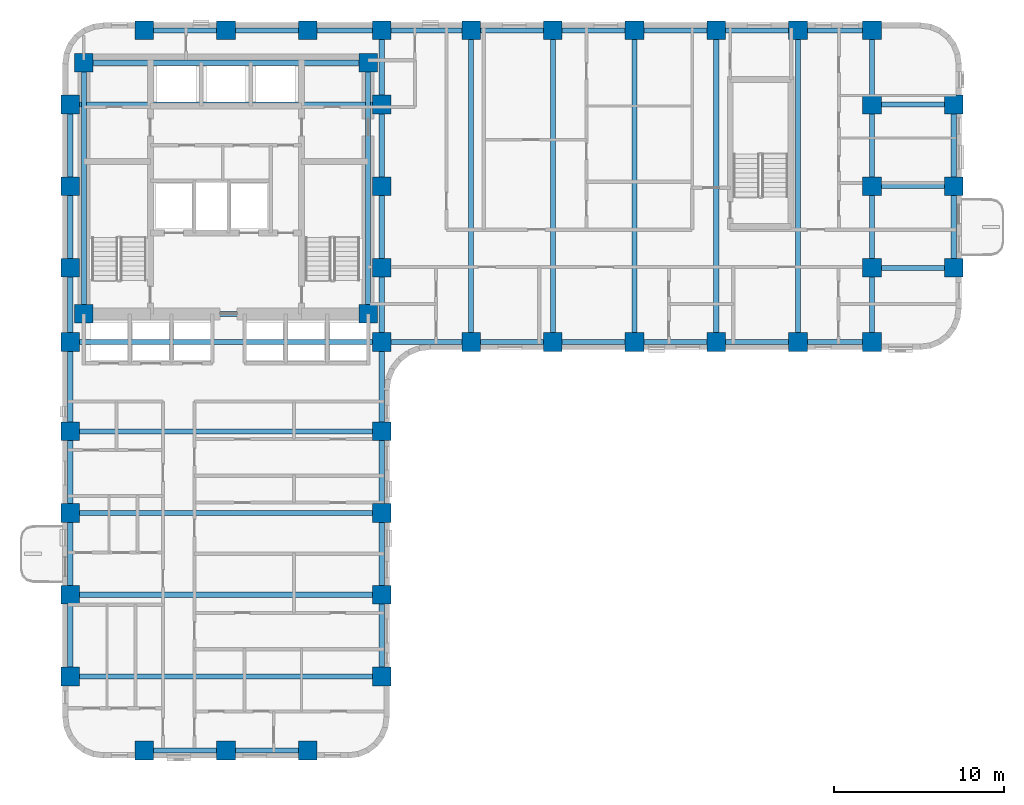
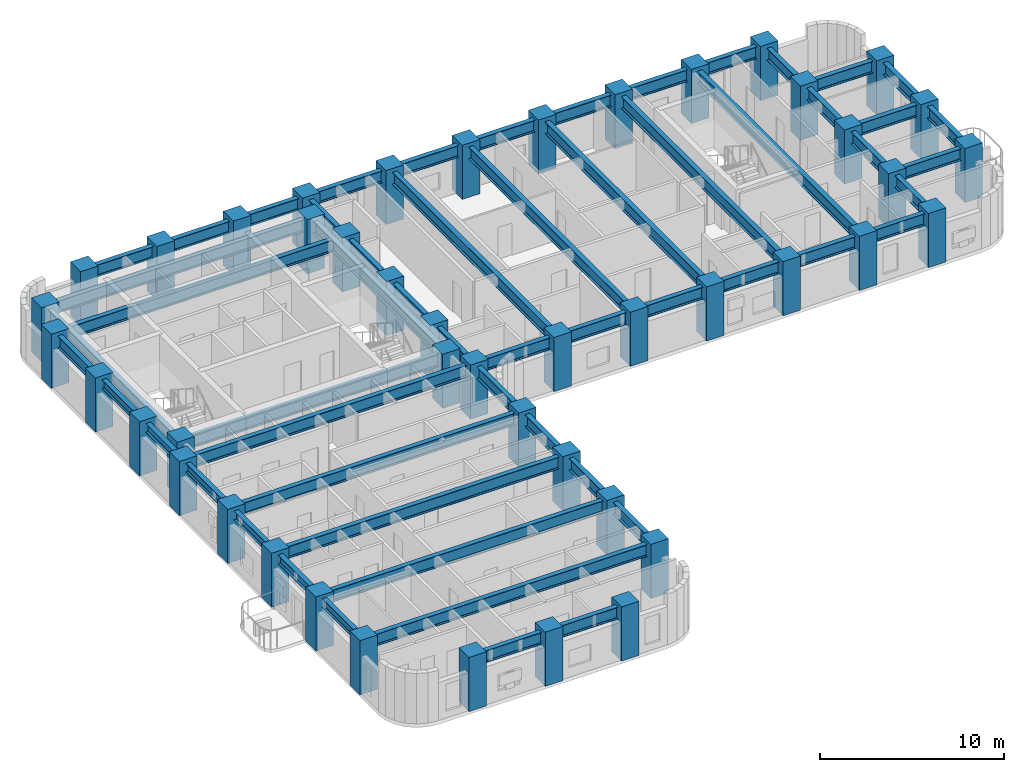
# One storey, part 1 of 12: 56 beams, 45 columns.
"""IFC4 building model written with IfcOpenShell, lengths in metres."""

import ifcopenshell
import ifcopenshell.guid

model = None  # the IFC model being written
_history = None  # IfcOwnerHistory: only IFC2X3 demands one
_inside = {}  # id of a spatial element -> (the spatial element, [elements in it])
_under = {}  # id of a project, library or spatial element -> (it, [spatial elements below it])
_declared = {}  # id of a project -> (the project, [libraries it declares])
_typed = {}  # id of a type object -> (the type object, [elements of that type])
_made_of = {}  # id of a material, layer set ... -> (it, [elements and type objects made of it])


def new_model(schema):
    """Start an empty IFC model of exactly this schema.

    Asked for "IFC4X3", IfcOpenShell would pick the latest addendum, in which some entities
    have other attributes; the version numbers below select the first issue.
    IFC2X3 requires an IfcOwnerHistory on every rooted entity: one is made here for all.
    """
    global model, _history
    if schema == "IFC4X3":
        model = ifcopenshell.file(schema_version=(4, 3, 0, 0))
    else:
        model = ifcopenshell.file(schema=schema)
    _inside.clear()
    _under.clear()
    _declared.clear()
    _typed.clear()
    _made_of.clear()
    _history = None
    if model.schema == "IFC2X3":
        org = make("IfcOrganization", Name="unknown")
        user = make(
            "IfcPersonAndOrganization",
            ThePerson=make("IfcPerson", FamilyName="unknown"),
            TheOrganization=org,
        )
        app = make(
            "IfcApplication",
            ApplicationDeveloper=org,
            Version="unknown",
            ApplicationFullName="unknown",
            ApplicationIdentifier="unknown",
        )
        _history = make(
            "IfcOwnerHistory",
            OwningUser=user,
            OwningApplication=app,
            ChangeAction="ADDED",
            CreationDate=0,
        )
    return model


def make(cls, **values):
    """One entity of the class cls with the attributes given. An attribute that is None is left unset."""
    return model.create_entity(
        cls, **{name: value for name, value in values.items() if value is not None}
    )


def rooted(cls, **values):
    """An entity with a GlobalId (a new one), such as an element, a storey or a relation."""
    return make(cls, GlobalId=ifcopenshell.guid.new(), OwnerHistory=_history, **values)


def si_unit(unit_type, name, prefix=None):
    """IfcSIUnit, for example si_unit("LENGTHUNIT", "METRE", prefix="MILLI")."""
    return make("IfcSIUnit", UnitType=unit_type, Prefix=prefix, Name=name)


def assignment(units):
    """IfcUnitAssignment: the units of a project."""
    return None if units is None else make("IfcUnitAssignment", Units=units)


def point(xyz):
    """IfcCartesianPoint."""
    return None if xyz is None else make("IfcCartesianPoint", Coordinates=xyz)


def direction(xyz):
    """IfcDirection."""
    return None if xyz is None else make("IfcDirection", DirectionRatios=xyz)


def frame(location, z_axis=None, x_axis=None):
    """IfcAxis2Placement3D, a coordinate frame: its origin and axes. An axis left out is left unset."""
    return make(
        "IfcAxis2Placement3D",
        Location=point(location),
        Axis=direction(z_axis),
        RefDirection=direction(x_axis),
    )


def frame_2d(location, x_axis=None):
    """IfcAxis2Placement2D, a coordinate frame in the plane: its origin and x axis."""
    return make(
        "IfcAxis2Placement2D", Location=point(location), RefDirection=direction(x_axis)
    )


def origin():
    """The frame at (0, 0, 0) with its axes left unset."""
    return frame((0.0, 0.0, 0.0))


def origin_2d():
    """The frame at (0, 0) in the plane with its x axis left unset."""
    return frame_2d((0.0, 0.0))


def place(relative_to, where):
    """IfcLocalPlacement: puts the frame where relative to a parent placement (None: the world)."""
    return make(
        "IfcLocalPlacement", PlacementRelTo=relative_to, RelativePlacement=where
    )


def context(
    kind, dimensions, precision=None, world=None, true_north=None, identifier=None
):
    """IfcGeometricRepresentationContext, for example the 3D "Model" context."""
    return make(
        "IfcGeometricRepresentationContext",
        ContextIdentifier=identifier,
        ContextType=kind,
        CoordinateSpaceDimension=dimensions,
        Precision=precision,
        WorldCoordinateSystem=world,
        TrueNorth=true_north,
    )


def subcontext(parent, identifier, kind, view, scale=None):
    """IfcGeometricRepresentationSubContext, for example "Body" below "Model"."""
    return make(
        "IfcGeometricRepresentationSubContext",
        ContextIdentifier=identifier,
        ContextType=kind,
        ParentContext=parent,
        TargetScale=scale,
        TargetView=view,
    )


def project(units=None, contexts=None):
    """IfcProject with its units and contexts."""
    return rooted(
        "IfcProject",
        Name="project",
        RepresentationContexts=contexts,
        UnitsInContext=assignment(units),
    )


def spatial(cls, under=None, at=None, **own):
    """A site, building, storey or space (cls), placed at a placement, below another one or the project."""
    s = rooted(cls, ObjectPlacement=at, **own)
    if under is not None:
        _under.setdefault(under.id(), (under, []))[1].append(s)
    return s


def profile(cls, at=None, kind="AREA", **sizes):
    """A parametric profile (cls). Its sizes go by their IFC names, for example OverallWidth=200.0."""
    return make(cls, ProfileType=kind, Position=at, **sizes)


def rectangle(**sizes):
    """IfcRectangleProfileDef."""
    return profile("IfcRectangleProfileDef", **sizes)


def i_section(**sizes):
    """IfcIShapeProfileDef."""
    return profile("IfcIShapeProfileDef", **sizes)


def extrude(swept, where, along, depth):
    """IfcExtrudedAreaSolid: the profile swept, set in the frame where, extruded along a direction by depth."""
    return make(
        "IfcExtrudedAreaSolid",
        SweptArea=swept,
        Position=where,
        ExtrudedDirection=direction(along),
        Depth=depth,
    )


def shape(context_of_items, identifier, shape_type, items):
    """IfcShapeRepresentation: the items that make up one representation, for example the "Body"."""
    return make(
        "IfcShapeRepresentation",
        ContextOfItems=context_of_items,
        RepresentationIdentifier=identifier,
        RepresentationType=shape_type,
        Items=items,
    )


def material(Name=None, Category=None):
    """IfcMaterial."""
    return make("IfcMaterial", Name=Name, Category=Category)


def material_profile(
    of_material, cross_section, Name=None, Category=None, Priority=None
):
    """IfcMaterialProfile: a cross section and its material."""
    return make(
        "IfcMaterialProfile",
        Name=Name,
        Material=of_material,
        Profile=cross_section,
        Priority=Priority,
        Category=Category,
    )


def profile_set(profiles, Name=None, composite=None):
    """IfcMaterialProfileSet."""
    return make(
        "IfcMaterialProfileSet",
        Name=Name,
        MaterialProfiles=profiles,
        CompositeProfile=composite,
    )


def made_of(thing, what):
    """Note that an element or type object is made of a material, layer set ...; save() writes the relation."""
    if what is not None:
        _made_of.setdefault(what.id(), (what, []))[1].append(thing)
    return thing


def type_object(cls, material=None, **own):
    """A type object (cls), such as IfcWallType, which elements share."""
    return made_of(rooted(cls, **own), material)


def element(
    cls,
    number,
    at=None,
    inside=None,
    cuts=None,
    type_object=None,
    material=None,
    context=None,
    identifier="Body",
    shape_type=None,
    held_by="IfcProductDefinitionShape",
    body=None,
    shapes=None,
    **own,
):
    """One element of the class cls, such as IfcWall. Its Tag is "e" and its number.

    at: its placement. inside: the storey or other place that contains it. cuts: it is an
    opening in that element (IfcRelVoidsElement). A single representation is given by context,
    identifier, shape_type and body (its items); several are given by shapes. held_by: the class
    of the entity that holds the representations. save() writes the other relations.
    """
    e = rooted(cls, Tag="e%d" % number, ObjectPlacement=at, **own)
    if body is not None:
        shapes = [shape(context, identifier, shape_type, body)]
    if shapes is not None:
        e.Representation = make(held_by, Representations=shapes)
    if inside is not None:
        _inside.setdefault(inside.id(), (inside, []))[1].append(e)
    if cuts is not None:
        rooted(
            "IfcRelVoidsElement", RelatingBuildingElement=cuts, RelatedOpeningElement=e
        )
    if type_object is not None:
        _typed.setdefault(type_object.id(), (type_object, []))[1].append(e)
    return made_of(e, material)


def aggregate(whole, parts):
    """IfcRelAggregates: a whole, such as a stair, and the parts it consists of."""
    return rooted("IfcRelAggregates", RelatingObject=whole, RelatedObjects=parts)


def save(model, path):
    """Write the relations noted so far, then the file.

    IfcRelAggregates (storeys below a building ...), IfcRelContainedInSpatialStructure (elements
    in a storey), IfcRelDefinesByType, IfcRelAssociatesMaterial and IfcRelDeclares: one each for
    every whole, place, type object, material and project.
    """
    for whole, parts in _under.values():
        aggregate(whole, parts)
    for where, things in _inside.values():
        rooted(
            "IfcRelContainedInSpatialStructure",
            RelatedElements=things,
            RelatingStructure=where,
        )
    for kind, things in _typed.values():
        rooted("IfcRelDefinesByType", RelatedObjects=things, RelatingType=kind)
    for what, things in _made_of.values():
        rooted("IfcRelAssociatesMaterial", RelatedObjects=things, RelatingMaterial=what)
    for by, libraries in _declared.values():
        rooted("IfcRelDeclares", RelatingContext=by, RelatedDefinitions=libraries)
    model.write(path)


model = new_model("IFC4")

# Units and contexts
model_context = context("Model", 3, precision=1e-05, world=origin(), true_north=direction((0.0, 1.0)))
body_context = subcontext(model_context, "Body", "Model", "MODEL_VIEW")
ifc_project = project(units=[si_unit("LENGTHUNIT", "METRE"), si_unit("AREAUNIT", "SQUARE_METRE"), si_unit("VOLUMEUNIT", "CUBIC_METRE"), si_unit("PLANEANGLEUNIT", "RADIAN"), si_unit("MASSUNIT", "GRAM", prefix="KILO")], contexts=[model_context])

# Site, building, storey
site_placement = place(None, origin())
site = spatial("IfcSite", under=ifc_project, at=site_placement, CompositionType="ELEMENT")
building_placement = place(site_placement, origin())
building = spatial("IfcBuilding", under=site, at=building_placement, Name="Orvandelia Arch Residences", CompositionType="ELEMENT")
storey_placement = place(building_placement, frame((0.0, 0.0, 35.800048828125)))
storey = spatial("IfcBuildingStorey", under=building, at=storey_placement, Name="L08", CompositionType="ELEMENT", Elevation=35.800048828125)

# Columns
ifc_material_1 = material(Name="Concrete C80/95", Category="concrete")
ifc_material_profile_1 = material_profile(ifc_material_1, rectangle(XDim=1.10009765625, YDim=1.10009765625, at=origin_2d()), Name="Concrete C80/95", Category="concrete")
ifc_profile_set_1 = profile_set([ifc_material_profile_1], Name="Concrete C80/95")
column_type = type_object("IfcColumnType", Name="COL-TWR-1100", PredefinedType="COLUMN", material=ifc_profile_set_1)
for number, where, z_axis, x_axis, name in (
    (1, (5.25, 9.60009765625, 0.0), (0.0, 0.0, 1.0), (1.0, 0.0, 0.0), "Structural Column L08-W-W-96"),
    (2, (5.25, 14.39990234375, 0.0), (0.0, 0.0, 1.0), (1.0, 0.0, 0.0), "Structural Column L08-W-W-144"),
    (3, (5.25, 19.199951171875, 0.0), (0.0, 0.0, 1.0), (1.0, 0.0, 0.0), "Structural Column L08-W-W-192"),
    (4, (5.25, 24.0, 0.0), (0.0, 0.0, 1.0), (1.0, 0.0, 0.0), "Structural Column L08-W-W-240"),
    (5, (5.25, 29.25, 0.0), (0.0, 0.0, 1.0), (1.0, 0.0, 0.0), "Structural Column L08-W-W-292"),
    (6, (5.25, 33.60009765625, 0.0), (0.0, 0.0, 1.0), (1.0, 0.0, 0.0), "Structural Column L08-W-W-336"),
    (7, (5.25, 38.39990234375, 0.0), (0.0, 0.0, 1.0), (1.0, 0.0, 0.0), "Structural Column L08-W-W-384"),
    (8, (5.25, 43.199951171875, 0.0), (0.0, 0.0, 1.0), (1.0, 0.0, 0.0), "Structural Column L08-W-W-432"),
    (9, (6.050048828125, 30.89990234375, 0.0), (0.0, 0.0, 1.0), (1.0, 0.0, 0.0), "Structural Column L08-CR-SW"),
    (10, (6.050048828125, 45.64990234375, 0.0), (0.0, 0.0, 1.0), (1.0, 0.0, 0.0), "Structural Column L08-CR-NW"),
    (11, (9.60009765625, 5.25, 0.0), (0.0, 0.0, 1.0), (1.0, 0.0, 0.0), "Structural Column L08-W-S-96"),
    (12, (9.60009765625, 47.550048828125, 0.0), (0.0, 0.0, 1.0), (1.0, 0.0, 0.0), "Structural Column L08-W-N-96"),
    (13, (14.39990234375, 5.25, 0.0), (0.0, 0.0, 1.0), (1.0, 0.0, 0.0), "Structural Column L08-W-S-144"),
    (14, (14.39990234375, 47.550048828125, 0.0), (0.0, 0.0, 1.0), (1.0, 0.0, 0.0), "Structural Column L08-W-N-144"),
    (15, (19.199951171875, 5.25, 0.0), (0.0, 0.0, 1.0), (1.0, 0.0, 0.0), "Structural Column L08-W-S-192"),
    (16, (19.199951171875, 47.550048828125, 0.0), (0.0, 0.0, 1.0), (1.0, 0.0, 0.0), "Structural Column L08-W-N-192"),
    (17, (22.75, 30.89990234375, 0.0), (0.0, 0.0, 1.0), (1.0, 0.0, 0.0), "Structural Column L08-CR-SE"),
    (18, (22.75, 45.64990234375, 0.0), (0.0, 0.0, 1.0), (1.0, 0.0, 0.0), "Structural Column L08-CR-NE"),
    (19, (23.550048828125, 9.60009765625, 0.0), (0.0, 0.0, 1.0), (1.0, 0.0, 0.0), "Structural Column L08-W-E-96"),
    (20, (23.550048828125, 14.39990234375, 0.0), (0.0, 0.0, 1.0), (1.0, 0.0, 0.0), "Structural Column L08-W-E-144"),
    (21, (23.550048828125, 19.199951171875, 0.0), (0.0, 0.0, 1.0), (1.0, 0.0, 0.0), "Structural Column L08-W-E-192"),
    (22, (23.550048828125, 24.0, 0.0), (0.0, 0.0, 1.0), (1.0, 0.0, 0.0), "Structural Column L08-W-E-240"),
    (23, (23.550048828125, 29.25, 0.0), (0.0, 0.0, 1.0), (1.0, 0.0, 0.0), "Structural Column L08-W-E-292"),
    (24, (23.550048828125, 33.60009765625, 0.0), (0.0, 0.0, 1.0), (1.0, 0.0, 0.0), "Structural Column L08-W-E-336"),
    (25, (23.550048828125, 38.39990234375, 0.0), (0.0, 0.0, 1.0), (1.0, 0.0, 0.0), "Structural Column L08-W-E-384"),
    (26, (23.550048828125, 43.199951171875, 0.0), (0.0, 0.0, 1.0), (1.0, 0.0, 0.0), "Structural Column L08-W-E-432"),
    (27, (23.550048828125, 47.550048828125, 0.0), (0.0, 0.0, 1.0), (1.0, 0.0, 0.0), "Structural Column L08-W-N-235"),
    (28, (28.800048828125, 29.25, 0.0), (0.0, 0.0, 1.0), (1.0, 0.0, 0.0), "Structural Column L08-E-S-288"),
    (29, (28.800048828125, 47.550048828125, 0.0), (0.0, 0.0, 1.0), (1.0, 0.0, 0.0), "Structural Column L08-E-N-288"),
    (30, (33.60009765625, 29.25, 0.0), (0.0, 0.0, 1.0), (1.0, 0.0, 0.0), "Structural Column L08-E-S-336"),
    (31, (33.60009765625, 47.550048828125, 0.0), (0.0, 0.0, 1.0), (1.0, 0.0, 0.0), "Structural Column L08-E-N-336"),
    (32, (38.39990234375, 29.25, 0.0), (0.0, 0.0, 1.0), (1.0, 0.0, 0.0), "Structural Column L08-E-S-384"),
    (33, (38.39990234375, 47.550048828125, 0.0), (0.0, 0.0, 1.0), (1.0, 0.0, 0.0), "Structural Column L08-E-N-384"),
    (34, (43.199951171875, 29.25, 0.0), (0.0, 0.0, 1.0), (1.0, 0.0, 0.0), "Structural Column L08-E-S-432"),
    (35, (43.199951171875, 47.550048828125, 0.0), (0.0, 0.0, 1.0), (1.0, 0.0, 0.0), "Structural Column L08-E-N-432"),
    (36, (48.0, 29.25, 0.0), (0.0, 0.0, 1.0), (1.0, 0.0, 0.0), "Structural Column L08-E-S-480"),
    (37, (48.0, 47.550048828125, 0.0), (0.0, 0.0, 1.0), (1.0, 0.0, 0.0), "Structural Column L08-E-N-480"),
    (38, (52.35009765625, 29.25, 0.0), (0.0, 0.0, 1.0), (1.0, 0.0, 0.0), "Structural Column L08-E-S-523"),
    (39, (52.35009765625, 33.60009765625, 0.0), (0.0, 0.0, 1.0), (1.0, 0.0, 0.0), "Structural Column L08-E-523-336"),
    (40, (52.35009765625, 38.39990234375, 0.0), (0.0, 0.0, 1.0), (1.0, 0.0, 0.0), "Structural Column L08-E-523-384"),
    (41, (52.35009765625, 43.199951171875, 0.0), (0.0, 0.0, 1.0), (1.0, 0.0, 0.0), "Structural Column L08-E-523-432"),
    (42, (52.35009765625, 47.550048828125, 0.0), (0.0, 0.0, 1.0), (1.0, 0.0, 0.0), "Structural Column L08-E-N-523"),
    (43, (57.14990234375, 33.60009765625, 0.0), (0.0, 0.0, 1.0), (1.0, 0.0, 0.0), "Structural Column L08-E-571-336"),
    (44, (57.14990234375, 38.39990234375, 0.0), (0.0, 0.0, 1.0), (1.0, 0.0, 0.0), "Structural Column L08-E-571-384"),
    (45, (57.14990234375, 43.199951171875, 0.0), (0.0, 0.0, 1.0), (1.0, 0.0, 0.0), "Structural Column L08-E-571-432"),
):
    element("IfcColumn", number, at=place(storey_placement, frame(where, z_axis=z_axis, x_axis=x_axis)), inside=storey, type_object=column_type, Name=name, PredefinedType="COLUMN", context=body_context, shape_type="SweptSolid", body=[
        extrude(rectangle(XDim=1.10009765625, YDim=1.10009765625, at=origin_2d()), origin(), (0.0, 0.0, 1.0), 3.599853515625),
    ])

# Beams
ifc_material_2 = material(Name="Structural Steel SM355 (355 MPa)", Category="steel")
ifc_material_profile_2 = material_profile(ifc_material_2, i_section(OverallWidth=0.300048828125, OverallDepth=0.800048828125, WebThickness=0.013916015625, FlangeThickness=0.02587890625, FilletRadius=0.02587890625, at=origin_2d()), Name="Structural Steel SM355 (355 MPa)", Category="steel")
ifc_profile_set_2 = profile_set([ifc_material_profile_2], Name="Structural Steel SM355 (355 MPa)")
beam_type_1 = type_object("IfcBeamType", Name="BM-GRD-H800", PredefinedType="BEAM", material=ifc_profile_set_2)
beam_1_placement = place(storey_placement, frame((5.25, 38.39990234375, 2.949951171875), z_axis=(0.0, 1.0, 0.0), x_axis=(-1.0, 0.0, 0.0)))
element("IfcBeam", 46, at=beam_1_placement, inside=storey, type_object=beam_type_1, Name="Structural Frame Beam L08-NS-007", PredefinedType="BEAM", context=body_context, shape_type="SweptSolid", body=[
    extrude(i_section(OverallWidth=0.300048828125, OverallDepth=0.800048828125, WebThickness=0.013916015625, FlangeThickness=0.02587890625, FilletRadius=0.02587890625, at=origin_2d()), origin(), (0.0, 0.0, 1.0), 4.800048828125),
])
for number, where, z_axis, x_axis, name in (
    (47, (6.050048828125, 30.89990234375, 2.949951171875), (0.0, 1.0, 0.0), (-1.0, 0.0, 0.0), "Structural Frame Beam L08-NS-008"),
    (48, (22.75, 30.89990234375, 2.949951171875), (0.0, 1.0, 0.0), (-1.0, 0.0, 0.0), "Structural Frame Beam L08-NS-009"),
):
    element("IfcBeam", number, at=place(storey_placement, frame(where, z_axis=z_axis, x_axis=x_axis)), inside=storey, type_object=beam_type_1, Name=name, PredefinedType="BEAM", context=body_context, shape_type="SweptSolid", body=[
        extrude(i_section(OverallWidth=0.300048828125, OverallDepth=0.800048828125, WebThickness=0.013916015625, FlangeThickness=0.02587890625, FilletRadius=0.02587890625, at=origin_2d()), origin(), (0.0, 0.0, 1.0), 14.75),
    ])
beam_2_placement = place(storey_placement, frame((23.550048828125, 9.60009765625, 2.949951171875), z_axis=(0.0, 1.0, 0.0), x_axis=(-1.0, 0.0, 0.0)))
element("IfcBeam", 49, at=beam_2_placement, inside=storey, type_object=beam_type_1, Name="Structural Frame Beam L08-NS-010", PredefinedType="BEAM", context=body_context, shape_type="SweptSolid", body=[
    extrude(i_section(OverallWidth=0.300048828125, OverallDepth=0.800048828125, WebThickness=0.013916015625, FlangeThickness=0.02587890625, FilletRadius=0.02587890625, at=origin_2d()), origin(), (0.0, 0.0, 1.0), 4.7998046875),
])
for number, where, z_axis, x_axis, name in (
    (50, (23.550048828125, 14.39990234375, 2.949951171875), (0.0, 1.0, 0.0), (-1.0, 0.0, 0.0), "Structural Frame Beam L08-NS-011"),
    (51, (23.550048828125, 19.199951171875, 2.949951171875), (0.0, 1.0, 0.0), (-1.0, 0.0, 0.0), "Structural Frame Beam L08-NS-012"),
):
    element("IfcBeam", number, at=place(storey_placement, frame(where, z_axis=z_axis, x_axis=x_axis)), inside=storey, type_object=beam_type_1, Name=name, PredefinedType="BEAM", context=body_context, shape_type="SweptSolid", body=[
        extrude(i_section(OverallWidth=0.300048828125, OverallDepth=0.800048828125, WebThickness=0.013916015625, FlangeThickness=0.02587890625, FilletRadius=0.02587890625, at=origin_2d()), origin(), (0.0, 0.0, 1.0), 4.800048828125),
    ])
beam_3_placement = place(storey_placement, frame((23.550048828125, 24.0, 2.949951171875), z_axis=(0.0, 1.0, 0.0), x_axis=(-1.0, 0.0, 0.0)))
element("IfcBeam", 52, at=beam_3_placement, inside=storey, type_object=beam_type_1, Name="Structural Frame Beam L08-NS-013", PredefinedType="BEAM", context=body_context, shape_type="SweptSolid", body=[
    extrude(i_section(OverallWidth=0.300048828125, OverallDepth=0.800048828125, WebThickness=0.013916015625, FlangeThickness=0.02587890625, FilletRadius=0.02587890625, at=origin_2d()), origin(), (0.0, 0.0, 1.0), 5.25),
])
beam_4_placement = place(storey_placement, frame((23.550048828125, 29.25, 2.949951171875), z_axis=(0.0, 1.0, 0.0), x_axis=(-1.0, 0.0, 0.0)))
element("IfcBeam", 53, at=beam_4_placement, inside=storey, type_object=beam_type_1, Name="Structural Frame Beam L08-NS-014", PredefinedType="BEAM", context=body_context, shape_type="SweptSolid", body=[
    extrude(i_section(OverallWidth=0.300048828125, OverallDepth=0.800048828125, WebThickness=0.013916015625, FlangeThickness=0.02587890625, FilletRadius=0.02587890625, at=origin_2d()), origin(), (0.0, 0.0, 1.0), 4.35009765625),
])
beam_5_placement = place(storey_placement, frame((23.550048828125, 33.60009765625, 2.949951171875), z_axis=(0.0, 1.0, 0.0), x_axis=(-1.0, 0.0, 0.0)))
element("IfcBeam", 54, at=beam_5_placement, inside=storey, type_object=beam_type_1, Name="Structural Frame Beam L08-NS-015", PredefinedType="BEAM", context=body_context, shape_type="SweptSolid", body=[
    extrude(i_section(OverallWidth=0.300048828125, OverallDepth=0.800048828125, WebThickness=0.013916015625, FlangeThickness=0.02587890625, FilletRadius=0.02587890625, at=origin_2d()), origin(), (0.0, 0.0, 1.0), 4.7998046875),
])
beam_6_placement = place(storey_placement, frame((23.550048828125, 38.39990234375, 2.949951171875), z_axis=(0.0, 1.0, 0.0), x_axis=(-1.0, 0.0, 0.0)))
element("IfcBeam", 55, at=beam_6_placement, inside=storey, type_object=beam_type_1, Name="Structural Frame Beam L08-NS-016", PredefinedType="BEAM", context=body_context, shape_type="SweptSolid", body=[
    extrude(i_section(OverallWidth=0.300048828125, OverallDepth=0.800048828125, WebThickness=0.013916015625, FlangeThickness=0.02587890625, FilletRadius=0.02587890625, at=origin_2d()), origin(), (0.0, 0.0, 1.0), 4.800048828125),
])
beam_7_placement = place(storey_placement, frame((23.550048828125, 43.199951171875, 2.949951171875), z_axis=(0.0, 1.0, 0.0), x_axis=(-1.0, 0.0, 0.0)))
element("IfcBeam", 56, at=beam_7_placement, inside=storey, type_object=beam_type_1, Name="Structural Frame Beam L08-NS-017", PredefinedType="BEAM", context=body_context, shape_type="SweptSolid", body=[
    extrude(i_section(OverallWidth=0.300048828125, OverallDepth=0.800048828125, WebThickness=0.013916015625, FlangeThickness=0.02587890625, FilletRadius=0.02587890625, at=origin_2d()), origin(), (0.0, 0.0, 1.0), 4.35009765625),
])
for number, where, z_axis, x_axis, name in (
    (57, (28.800048828125, 29.25, 2.949951171875), (0.0, 1.0, 0.0), (-1.0, 0.0, 0.0), "Structural Frame Beam L08-NS-018"),
    (58, (33.60009765625, 29.25, 2.949951171875), (0.0, 1.0, 0.0), (-1.0, 0.0, 0.0), "Structural Frame Beam L08-NS-019"),
    (59, (38.39990234375, 29.25, 2.949951171875), (0.0, 1.0, 0.0), (-1.0, 0.0, 0.0), "Structural Frame Beam L08-NS-020"),
    (60, (43.199951171875, 29.25, 2.949951171875), (0.0, 1.0, 0.0), (-1.0, 0.0, 0.0), "Structural Frame Beam L08-NS-021"),
    (61, (48.0, 29.25, 2.949951171875), (0.0, 1.0, 0.0), (-1.0, 0.0, 0.0), "Structural Frame Beam L08-NS-022"),
):
    element("IfcBeam", number, at=place(storey_placement, frame(where, z_axis=z_axis, x_axis=x_axis)), inside=storey, type_object=beam_type_1, Name=name, PredefinedType="BEAM", context=body_context, shape_type="SweptSolid", body=[
        extrude(i_section(OverallWidth=0.300048828125, OverallDepth=0.800048828125, WebThickness=0.013916015625, FlangeThickness=0.02587890625, FilletRadius=0.02587890625, at=origin_2d()), origin(), (0.0, 0.0, 1.0), 18.300048828125),
    ])
beam_8_placement = place(storey_placement, frame((52.35009765625, 29.25, 2.949951171875), z_axis=(0.0, 1.0, 0.0), x_axis=(-1.0, 0.0, 0.0)))
element("IfcBeam", 62, at=beam_8_placement, inside=storey, type_object=beam_type_1, Name="Structural Frame Beam L08-NS-023", PredefinedType="BEAM", context=body_context, shape_type="SweptSolid", body=[
    extrude(i_section(OverallWidth=0.300048828125, OverallDepth=0.800048828125, WebThickness=0.013916015625, FlangeThickness=0.02587890625, FilletRadius=0.02587890625, at=origin_2d()), origin(), (0.0, 0.0, 1.0), 4.35009765625),
])
beam_9_placement = place(storey_placement, frame((52.35009765625, 33.60009765625, 2.949951171875), z_axis=(0.0, 1.0, 0.0), x_axis=(-1.0, 0.0, 0.0)))
element("IfcBeam", 63, at=beam_9_placement, inside=storey, type_object=beam_type_1, Name="Structural Frame Beam L08-NS-024", PredefinedType="BEAM", context=body_context, shape_type="SweptSolid", body=[
    extrude(i_section(OverallWidth=0.300048828125, OverallDepth=0.800048828125, WebThickness=0.013916015625, FlangeThickness=0.02587890625, FilletRadius=0.02587890625, at=origin_2d()), origin(), (0.0, 0.0, 1.0), 4.7998046875),
])
beam_10_placement = place(storey_placement, frame((52.35009765625, 38.39990234375, 2.949951171875), z_axis=(0.0, 1.0, 0.0), x_axis=(-1.0, 0.0, 0.0)))
element("IfcBeam", 64, at=beam_10_placement, inside=storey, type_object=beam_type_1, Name="Structural Frame Beam L08-NS-025", PredefinedType="BEAM", context=body_context, shape_type="SweptSolid", body=[
    extrude(i_section(OverallWidth=0.300048828125, OverallDepth=0.800048828125, WebThickness=0.013916015625, FlangeThickness=0.02587890625, FilletRadius=0.02587890625, at=origin_2d()), origin(), (0.0, 0.0, 1.0), 4.800048828125),
])
beam_11_placement = place(storey_placement, frame((52.35009765625, 43.199951171875, 2.949951171875), z_axis=(0.0, 1.0, 0.0), x_axis=(-1.0, 0.0, 0.0)))
element("IfcBeam", 65, at=beam_11_placement, inside=storey, type_object=beam_type_1, Name="Structural Frame Beam L08-NS-026", PredefinedType="BEAM", context=body_context, shape_type="SweptSolid", body=[
    extrude(i_section(OverallWidth=0.300048828125, OverallDepth=0.800048828125, WebThickness=0.013916015625, FlangeThickness=0.02587890625, FilletRadius=0.02587890625, at=origin_2d()), origin(), (0.0, 0.0, 1.0), 4.35009765625),
])
beam_12_placement = place(storey_placement, frame((57.14990234375, 33.60009765625, 2.949951171875), z_axis=(0.0, 1.0, 0.0), x_axis=(-1.0, 0.0, 0.0)))
element("IfcBeam", 66, at=beam_12_placement, inside=storey, type_object=beam_type_1, Name="Structural Frame Beam L08-NS-027", PredefinedType="BEAM", context=body_context, shape_type="SweptSolid", body=[
    extrude(i_section(OverallWidth=0.300048828125, OverallDepth=0.800048828125, WebThickness=0.013916015625, FlangeThickness=0.02587890625, FilletRadius=0.02587890625, at=origin_2d()), origin(), (0.0, 0.0, 1.0), 4.7998046875),
])
beam_13_placement = place(storey_placement, frame((57.14990234375, 38.39990234375, 2.949951171875), z_axis=(0.0, 1.0, 0.0), x_axis=(-1.0, 0.0, 0.0)))
element("IfcBeam", 67, at=beam_13_placement, inside=storey, type_object=beam_type_1, Name="Structural Frame Beam L08-NS-028", PredefinedType="BEAM", context=body_context, shape_type="SweptSolid", body=[
    extrude(i_section(OverallWidth=0.300048828125, OverallDepth=0.800048828125, WebThickness=0.013916015625, FlangeThickness=0.02587890625, FilletRadius=0.02587890625, at=origin_2d()), origin(), (0.0, 0.0, 1.0), 4.800048828125),
])
beam_14_placement = place(storey_placement, frame((9.60009765625, 5.25, 2.949951171875), z_axis=(1.0, 0.0, 0.0), x_axis=(0.0, 1.0, 0.0)))
element("IfcBeam", 68, at=beam_14_placement, inside=storey, type_object=beam_type_1, Name="Structural Frame Girder L08-EW-029", PredefinedType="BEAM", context=body_context, shape_type="SweptSolid", body=[
    extrude(i_section(OverallWidth=0.300048828125, OverallDepth=0.800048828125, WebThickness=0.013916015625, FlangeThickness=0.02587890625, FilletRadius=0.02587890625, at=origin_2d()), origin(), (0.0, 0.0, 1.0), 4.7998046875),
])
beam_15_placement = place(storey_placement, frame((14.39990234375, 5.25, 2.949951171875), z_axis=(1.0, 0.0, 0.0), x_axis=(0.0, 1.0, 0.0)))
element("IfcBeam", 69, at=beam_15_placement, inside=storey, type_object=beam_type_1, Name="Structural Frame Girder L08-EW-030", PredefinedType="BEAM", context=body_context, shape_type="SweptSolid", body=[
    extrude(i_section(OverallWidth=0.300048828125, OverallDepth=0.800048828125, WebThickness=0.013916015625, FlangeThickness=0.02587890625, FilletRadius=0.02587890625, at=origin_2d()), origin(), (0.0, 0.0, 1.0), 4.800048828125),
])
for number, where, z_axis, x_axis, name in (
    (70, (5.25, 9.60009765625, 2.949951171875), (1.0, 0.0, 0.0), (0.0, 1.0, 0.0), "Structural Frame Girder L08-EW-031"),
    (71, (5.25, 14.39990234375, 2.949951171875), (1.0, 0.0, 0.0), (0.0, 1.0, 0.0), "Structural Frame Girder L08-EW-032"),
    (72, (5.25, 19.199951171875, 2.949951171875), (1.0, 0.0, 0.0), (0.0, 1.0, 0.0), "Structural Frame Girder L08-EW-033"),
    (73, (5.25, 24.0, 2.949951171875), (1.0, 0.0, 0.0), (0.0, 1.0, 0.0), "Structural Frame Girder L08-EW-034"),
    (74, (5.25, 29.25, 2.949951171875), (1.0, 0.0, 0.0), (0.0, 1.0, 0.0), "Structural Frame Girder L08-EW-035"),
):
    element("IfcBeam", number, at=place(storey_placement, frame(where, z_axis=z_axis, x_axis=x_axis)), inside=storey, type_object=beam_type_1, Name=name, PredefinedType="BEAM", context=body_context, shape_type="SweptSolid", body=[
        extrude(i_section(OverallWidth=0.300048828125, OverallDepth=0.800048828125, WebThickness=0.013916015625, FlangeThickness=0.02587890625, FilletRadius=0.02587890625, at=origin_2d()), origin(), (0.0, 0.0, 1.0), 18.300048828125),
    ])
beam_16_placement = place(storey_placement, frame((23.550048828125, 29.25, 2.949951171875), z_axis=(1.0, 0.0, 0.0), x_axis=(0.0, 1.0, 0.0)))
element("IfcBeam", 75, at=beam_16_placement, inside=storey, type_object=beam_type_1, Name="Structural Frame Girder L08-EW-036", PredefinedType="BEAM", context=body_context, shape_type="SweptSolid", body=[
    extrude(i_section(OverallWidth=0.300048828125, OverallDepth=0.800048828125, WebThickness=0.013916015625, FlangeThickness=0.02587890625, FilletRadius=0.02587890625, at=origin_2d()), origin(), (0.0, 0.0, 1.0), 5.25),
])
beam_17_placement = place(storey_placement, frame((28.800048828125, 29.25, 2.949951171875), z_axis=(1.0, 0.0, 0.0), x_axis=(0.0, 1.0, 0.0)))
element("IfcBeam", 76, at=beam_17_placement, inside=storey, type_object=beam_type_1, Name="Structural Frame Girder L08-EW-037", PredefinedType="BEAM", context=body_context, shape_type="SweptSolid", body=[
    extrude(i_section(OverallWidth=0.300048828125, OverallDepth=0.800048828125, WebThickness=0.013916015625, FlangeThickness=0.02587890625, FilletRadius=0.02587890625, at=origin_2d()), origin(), (0.0, 0.0, 1.0), 4.800048828125),
])
beam_18_placement = place(storey_placement, frame((33.60009765625, 29.25, 2.949951171875), z_axis=(1.0, 0.0, 0.0), x_axis=(0.0, 1.0, 0.0)))
element("IfcBeam", 77, at=beam_18_placement, inside=storey, type_object=beam_type_1, Name="Structural Frame Girder L08-EW-038", PredefinedType="BEAM", context=body_context, shape_type="SweptSolid", body=[
    extrude(i_section(OverallWidth=0.300048828125, OverallDepth=0.800048828125, WebThickness=0.013916015625, FlangeThickness=0.02587890625, FilletRadius=0.02587890625, at=origin_2d()), origin(), (0.0, 0.0, 1.0), 4.7998046875),
])
for number, where, z_axis, x_axis, name in (
    (78, (38.39990234375, 29.25, 2.949951171875), (1.0, 0.0, 0.0), (0.0, 1.0, 0.0), "Structural Frame Girder L08-EW-039"),
    (79, (43.199951171875, 29.25, 2.949951171875), (1.0, 0.0, 0.0), (0.0, 1.0, 0.0), "Structural Frame Girder L08-EW-040"),
):
    element("IfcBeam", number, at=place(storey_placement, frame(where, z_axis=z_axis, x_axis=x_axis)), inside=storey, type_object=beam_type_1, Name=name, PredefinedType="BEAM", context=body_context, shape_type="SweptSolid", body=[
        extrude(i_section(OverallWidth=0.300048828125, OverallDepth=0.800048828125, WebThickness=0.013916015625, FlangeThickness=0.02587890625, FilletRadius=0.02587890625, at=origin_2d()), origin(), (0.0, 0.0, 1.0), 4.800048828125),
    ])
beam_19_placement = place(storey_placement, frame((48.0, 29.25, 2.949951171875), z_axis=(1.0, 0.0, 0.0), x_axis=(0.0, 1.0, 0.0)))
element("IfcBeam", 80, at=beam_19_placement, inside=storey, type_object=beam_type_1, Name="Structural Frame Girder L08-EW-041", PredefinedType="BEAM", context=body_context, shape_type="SweptSolid", body=[
    extrude(i_section(OverallWidth=0.300048828125, OverallDepth=0.800048828125, WebThickness=0.013916015625, FlangeThickness=0.02587890625, FilletRadius=0.02587890625, at=origin_2d()), origin(), (0.0, 0.0, 1.0), 4.35009765625),
])
beam_20_placement = place(storey_placement, frame((6.050048828125, 30.89990234375, 2.949951171875), z_axis=(1.0, 0.0, 0.0), x_axis=(0.0, 1.0, 0.0)))
element("IfcBeam", 81, at=beam_20_placement, inside=storey, type_object=beam_type_1, Name="Structural Frame Girder L08-EW-042", PredefinedType="BEAM", context=body_context, shape_type="SweptSolid", body=[
    extrude(i_section(OverallWidth=0.300048828125, OverallDepth=0.800048828125, WebThickness=0.013916015625, FlangeThickness=0.02587890625, FilletRadius=0.02587890625, at=origin_2d()), origin(), (0.0, 0.0, 1.0), 16.699951171875),
])
for number, where, z_axis, x_axis, name in (
    (82, (52.35009765625, 33.60009765625, 2.949951171875), (1.0, 0.0, 0.0), (0.0, 1.0, 0.0), "Structural Frame Girder L08-EW-044"),
    (83, (52.35009765625, 38.39990234375, 2.949951171875), (1.0, 0.0, 0.0), (0.0, 1.0, 0.0), "Structural Frame Girder L08-EW-046"),
):
    element("IfcBeam", number, at=place(storey_placement, frame(where, z_axis=z_axis, x_axis=x_axis)), inside=storey, type_object=beam_type_1, Name=name, PredefinedType="BEAM", context=body_context, shape_type="SweptSolid", body=[
        extrude(i_section(OverallWidth=0.300048828125, OverallDepth=0.800048828125, WebThickness=0.013916015625, FlangeThickness=0.02587890625, FilletRadius=0.02587890625, at=origin_2d()), origin(), (0.0, 0.0, 1.0), 4.7998046875),
    ])
beam_21_placement = place(storey_placement, frame((5.25, 43.199951171875, 2.949951171875), z_axis=(1.0, 0.0, 0.0), x_axis=(0.0, 1.0, 0.0)))
element("IfcBeam", 84, at=beam_21_placement, inside=storey, type_object=beam_type_1, Name="Structural Frame Girder L08-EW-047", PredefinedType="BEAM", context=body_context, shape_type="SweptSolid", body=[
    extrude(i_section(OverallWidth=0.300048828125, OverallDepth=0.800048828125, WebThickness=0.013916015625, FlangeThickness=0.02587890625, FilletRadius=0.02587890625, at=origin_2d()), origin(), (0.0, 0.0, 1.0), 18.300048828125),
])
beam_22_placement = place(storey_placement, frame((52.35009765625, 43.199951171875, 2.949951171875), z_axis=(1.0, 0.0, 0.0), x_axis=(0.0, 1.0, 0.0)))
element("IfcBeam", 85, at=beam_22_placement, inside=storey, type_object=beam_type_1, Name="Structural Frame Girder L08-EW-048", PredefinedType="BEAM", context=body_context, shape_type="SweptSolid", body=[
    extrude(i_section(OverallWidth=0.300048828125, OverallDepth=0.800048828125, WebThickness=0.013916015625, FlangeThickness=0.02587890625, FilletRadius=0.02587890625, at=origin_2d()), origin(), (0.0, 0.0, 1.0), 4.7998046875),
])
beam_23_placement = place(storey_placement, frame((6.050048828125, 45.64990234375, 2.949951171875), z_axis=(1.0, 0.0, 0.0), x_axis=(0.0, 1.0, 0.0)))
element("IfcBeam", 86, at=beam_23_placement, inside=storey, type_object=beam_type_1, Name="Structural Frame Girder L08-EW-049", PredefinedType="BEAM", context=body_context, shape_type="SweptSolid", body=[
    extrude(i_section(OverallWidth=0.300048828125, OverallDepth=0.800048828125, WebThickness=0.013916015625, FlangeThickness=0.02587890625, FilletRadius=0.02587890625, at=origin_2d()), origin(), (0.0, 0.0, 1.0), 16.699951171875),
])
beam_24_placement = place(storey_placement, frame((9.60009765625, 47.550048828125, 2.949951171875), z_axis=(1.0, 0.0, 0.0), x_axis=(0.0, 1.0, 0.0)))
element("IfcBeam", 87, at=beam_24_placement, inside=storey, type_object=beam_type_1, Name="Structural Frame Girder L08-EW-050", PredefinedType="BEAM", context=body_context, shape_type="SweptSolid", body=[
    extrude(i_section(OverallWidth=0.300048828125, OverallDepth=0.800048828125, WebThickness=0.013916015625, FlangeThickness=0.02587890625, FilletRadius=0.02587890625, at=origin_2d()), origin(), (0.0, 0.0, 1.0), 4.7998046875),
])
beam_25_placement = place(storey_placement, frame((14.39990234375, 47.550048828125, 2.949951171875), z_axis=(1.0, 0.0, 0.0), x_axis=(0.0, 1.0, 0.0)))
element("IfcBeam", 88, at=beam_25_placement, inside=storey, type_object=beam_type_1, Name="Structural Frame Girder L08-EW-051", PredefinedType="BEAM", context=body_context, shape_type="SweptSolid", body=[
    extrude(i_section(OverallWidth=0.300048828125, OverallDepth=0.800048828125, WebThickness=0.013916015625, FlangeThickness=0.02587890625, FilletRadius=0.02587890625, at=origin_2d()), origin(), (0.0, 0.0, 1.0), 4.800048828125),
])
beam_26_placement = place(storey_placement, frame((19.199951171875, 47.550048828125, 2.949951171875), z_axis=(1.0, 0.0, 0.0), x_axis=(0.0, 1.0, 0.0)))
element("IfcBeam", 89, at=beam_26_placement, inside=storey, type_object=beam_type_1, Name="Structural Frame Girder L08-EW-052", PredefinedType="BEAM", context=body_context, shape_type="SweptSolid", body=[
    extrude(i_section(OverallWidth=0.300048828125, OverallDepth=0.800048828125, WebThickness=0.013916015625, FlangeThickness=0.02587890625, FilletRadius=0.02587890625, at=origin_2d()), origin(), (0.0, 0.0, 1.0), 4.35009765625),
])
beam_27_placement = place(storey_placement, frame((23.550048828125, 47.550048828125, 2.949951171875), z_axis=(1.0, 0.0, 0.0), x_axis=(0.0, 1.0, 0.0)))
element("IfcBeam", 90, at=beam_27_placement, inside=storey, type_object=beam_type_1, Name="Structural Frame Girder L08-EW-053", PredefinedType="BEAM", context=body_context, shape_type="SweptSolid", body=[
    extrude(i_section(OverallWidth=0.300048828125, OverallDepth=0.800048828125, WebThickness=0.013916015625, FlangeThickness=0.02587890625, FilletRadius=0.02587890625, at=origin_2d()), origin(), (0.0, 0.0, 1.0), 5.25),
])
beam_28_placement = place(storey_placement, frame((28.800048828125, 47.550048828125, 2.949951171875), z_axis=(1.0, 0.0, 0.0), x_axis=(0.0, 1.0, 0.0)))
element("IfcBeam", 91, at=beam_28_placement, inside=storey, type_object=beam_type_1, Name="Structural Frame Girder L08-EW-054", PredefinedType="BEAM", context=body_context, shape_type="SweptSolid", body=[
    extrude(i_section(OverallWidth=0.300048828125, OverallDepth=0.800048828125, WebThickness=0.013916015625, FlangeThickness=0.02587890625, FilletRadius=0.02587890625, at=origin_2d()), origin(), (0.0, 0.0, 1.0), 4.800048828125),
])
beam_29_placement = place(storey_placement, frame((33.60009765625, 47.550048828125, 2.949951171875), z_axis=(1.0, 0.0, 0.0), x_axis=(0.0, 1.0, 0.0)))
element("IfcBeam", 92, at=beam_29_placement, inside=storey, type_object=beam_type_1, Name="Structural Frame Girder L08-EW-055", PredefinedType="BEAM", context=body_context, shape_type="SweptSolid", body=[
    extrude(i_section(OverallWidth=0.300048828125, OverallDepth=0.800048828125, WebThickness=0.013916015625, FlangeThickness=0.02587890625, FilletRadius=0.02587890625, at=origin_2d()), origin(), (0.0, 0.0, 1.0), 4.7998046875),
])
for number, where, z_axis, x_axis, name in (
    (93, (38.39990234375, 47.550048828125, 2.949951171875), (1.0, 0.0, 0.0), (0.0, 1.0, 0.0), "Structural Frame Girder L08-EW-056"),
    (94, (43.199951171875, 47.550048828125, 2.949951171875), (1.0, 0.0, 0.0), (0.0, 1.0, 0.0), "Structural Frame Girder L08-EW-057"),
):
    element("IfcBeam", number, at=place(storey_placement, frame(where, z_axis=z_axis, x_axis=x_axis)), inside=storey, type_object=beam_type_1, Name=name, PredefinedType="BEAM", context=body_context, shape_type="SweptSolid", body=[
        extrude(i_section(OverallWidth=0.300048828125, OverallDepth=0.800048828125, WebThickness=0.013916015625, FlangeThickness=0.02587890625, FilletRadius=0.02587890625, at=origin_2d()), origin(), (0.0, 0.0, 1.0), 4.800048828125),
    ])
beam_30_placement = place(storey_placement, frame((48.0, 47.550048828125, 2.949951171875), z_axis=(1.0, 0.0, 0.0), x_axis=(0.0, 1.0, 0.0)))
element("IfcBeam", 95, at=beam_30_placement, inside=storey, type_object=beam_type_1, Name="Structural Frame Girder L08-EW-058", PredefinedType="BEAM", context=body_context, shape_type="SweptSolid", body=[
    extrude(i_section(OverallWidth=0.300048828125, OverallDepth=0.800048828125, WebThickness=0.013916015625, FlangeThickness=0.02587890625, FilletRadius=0.02587890625, at=origin_2d()), origin(), (0.0, 0.0, 1.0), 4.35009765625),
])
ifc_material_profile_3 = material_profile(ifc_material_2, i_section(OverallWidth=0.300048828125, OverallDepth=0.587890625, WebThickness=0.011962890625, FlangeThickness=0.02001953125, FilletRadius=0.02197265625, at=origin_2d()), Name="Structural Steel SM355 (355 MPa)", Category="steel")
ifc_profile_set_3 = profile_set([ifc_material_profile_3], Name="Structural Steel SM355 (355 MPa)")
beam_type_2 = type_object("IfcBeamType", Name="BM-SPN-H588", PredefinedType="SPANDREL", material=ifc_profile_set_3)
beam_31_placement = place(storey_placement, frame((5.25, 9.60009765625, 3.055908203125), z_axis=(0.0, 1.0, 0.0), x_axis=(-1.0, 0.0, 0.0)))
element("IfcBeam", 96, at=beam_31_placement, inside=storey, type_object=beam_type_2, Name="Structural Frame Beam L08-NS-001", PredefinedType="SPANDREL", context=body_context, shape_type="SweptSolid", body=[
    extrude(i_section(OverallWidth=0.300048828125, OverallDepth=0.587890625, WebThickness=0.011962890625, FlangeThickness=0.02001953125, FilletRadius=0.02197265625, at=origin_2d()), origin(), (0.0, 0.0, 1.0), 4.7998046875),
])
for number, where, z_axis, x_axis, name in (
    (97, (5.25, 14.39990234375, 3.055908203125), (0.0, 1.0, 0.0), (-1.0, 0.0, 0.0), "Structural Frame Beam L08-NS-002"),
    (98, (5.25, 19.199951171875, 3.055908203125), (0.0, 1.0, 0.0), (-1.0, 0.0, 0.0), "Structural Frame Beam L08-NS-003"),
):
    element("IfcBeam", number, at=place(storey_placement, frame(where, z_axis=z_axis, x_axis=x_axis)), inside=storey, type_object=beam_type_2, Name=name, PredefinedType="SPANDREL", context=body_context, shape_type="SweptSolid", body=[
        extrude(i_section(OverallWidth=0.300048828125, OverallDepth=0.587890625, WebThickness=0.011962890625, FlangeThickness=0.02001953125, FilletRadius=0.02197265625, at=origin_2d()), origin(), (0.0, 0.0, 1.0), 4.800048828125),
    ])
beam_32_placement = place(storey_placement, frame((5.25, 24.0, 3.055908203125), z_axis=(0.0, 1.0, 0.0), x_axis=(-1.0, 0.0, 0.0)))
element("IfcBeam", 99, at=beam_32_placement, inside=storey, type_object=beam_type_2, Name="Structural Frame Beam L08-NS-004", PredefinedType="SPANDREL", context=body_context, shape_type="SweptSolid", body=[
    extrude(i_section(OverallWidth=0.300048828125, OverallDepth=0.587890625, WebThickness=0.011962890625, FlangeThickness=0.02001953125, FilletRadius=0.02197265625, at=origin_2d()), origin(), (0.0, 0.0, 1.0), 5.25),
])
beam_33_placement = place(storey_placement, frame((5.25, 29.25, 3.055908203125), z_axis=(0.0, 1.0, 0.0), x_axis=(-1.0, 0.0, 0.0)))
element("IfcBeam", 100, at=beam_33_placement, inside=storey, type_object=beam_type_2, Name="Structural Frame Beam L08-NS-005", PredefinedType="SPANDREL", context=body_context, shape_type="SweptSolid", body=[
    extrude(i_section(OverallWidth=0.300048828125, OverallDepth=0.587890625, WebThickness=0.011962890625, FlangeThickness=0.02001953125, FilletRadius=0.02197265625, at=origin_2d()), origin(), (0.0, 0.0, 1.0), 4.35009765625),
])
beam_34_placement = place(storey_placement, frame((5.25, 33.60009765625, 3.055908203125), z_axis=(0.0, 1.0, 0.0), x_axis=(-1.0, 0.0, 0.0)))
element("IfcBeam", 101, at=beam_34_placement, inside=storey, type_object=beam_type_2, Name="Structural Frame Beam L08-NS-006", PredefinedType="SPANDREL", context=body_context, shape_type="SweptSolid", body=[
    extrude(i_section(OverallWidth=0.300048828125, OverallDepth=0.587890625, WebThickness=0.011962890625, FlangeThickness=0.02001953125, FilletRadius=0.02197265625, at=origin_2d()), origin(), (0.0, 0.0, 1.0), 4.7998046875),
])

save(model, "model.ifc")
